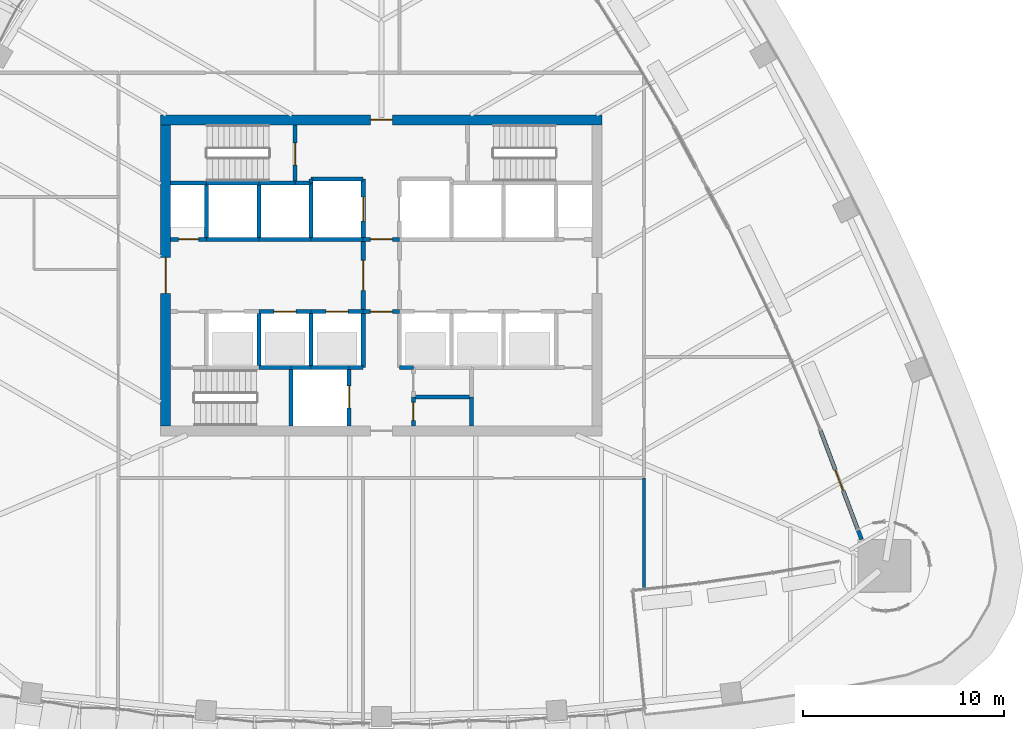
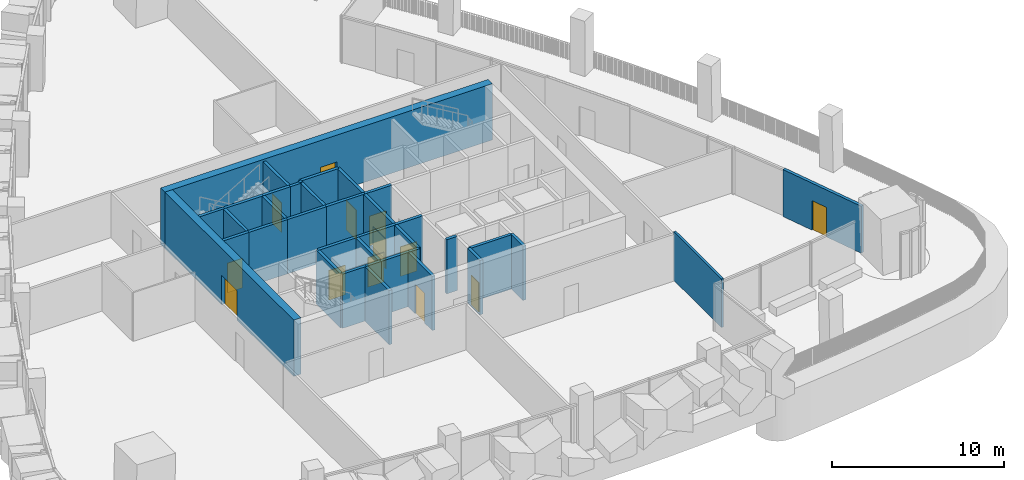
# One storey, part 13 of 20: 37 walls, 13 doors, 13 openings.
"""IFC4 building model written with IfcOpenShell, lengths in metres."""

from ifc_helpers import new_model, si_unit, direction, frame, frame_2d, origin, place, context, subcontext, project, spatial, rectangle, extrude, material, layer, layer_set, type_object, element, fill, save


model = new_model("IFC4")

# Units and contexts
model_context = context("Model", 3, precision=1e-05, world=origin(), true_north=direction((0.0, 1.0)))
body_context = subcontext(model_context, "Body", "Model", "MODEL_VIEW")
ifc_project = project(units=[si_unit("LENGTHUNIT", "METRE"), si_unit("AREAUNIT", "SQUARE_METRE"), si_unit("VOLUMEUNIT", "CUBIC_METRE"), si_unit("PLANEANGLEUNIT", "RADIAN"), si_unit("MASSUNIT", "GRAM", prefix="KILO")], contexts=[model_context])

# Site, building, storey
site_placement = place(None, origin())
site = spatial("IfcSite", under=ifc_project, at=site_placement, CompositionType="ELEMENT")
building_placement = place(site_placement, origin())
building = spatial("IfcBuilding", under=site, at=building_placement, Name="Sierra Prisma Convention Tower", CompositionType="ELEMENT")
storey_placement = place(building_placement, frame((0.0, 0.0, 125.800048828125)))
storey = spatial("IfcBuildingStorey", under=building, at=storey_placement, Name="L26", CompositionType="ELEMENT", Elevation=125.800048828125)

# Wall, opening, door
ifc_material_1 = material(Name="Concrete C30/37", Category="concrete")
ifc_layer_1 = layer(ifc_material_1, 0.199951171875)
ifc_layer_set_1 = layer_set([ifc_layer_1], Name="Core wall RC 200 C30/37")
wall_type_1 = type_object("IfcWallType", Name="Core wall RC 200 C30/37", PredefinedType="SOLIDWALL", material=ifc_layer_set_1)
wall_1_placement = place(storey_placement, frame((-8.699951171875, 1.800048828125, 0.0), z_axis=(0.0, 0.0, 1.0), x_axis=(-1.0, 0.0, 0.0)))
wall_1 = element("IfcWall", 1, at=wall_1_placement, inside=storey, type_object=wall_type_1, Name="Core wall L26 3", PredefinedType="SOLIDWALL", context=body_context, shape_type="SweptSolid", body=[
    extrude(rectangle(XDim=1.800048828125, YDim=0.199951171875, at=frame_2d((0.89990234375, 0.0))), origin(), (0.0, 0.0, 1.0), 3.849853515625),
])
opening_1_placement = place(wall_1_placement, frame((0.39990234375, 0.0, 0.0)))
opening_1 = element("IfcOpeningElement", 2, at=opening_1_placement, cuts=wall_1, Name="Opening L26-D018", PredefinedType="OPENING", context=body_context, shape_type="SweptSolid", body=[
    extrude(rectangle(XDim=1.0, YDim=2.10009765625, at=frame_2d((0.5, 1.050048828125))), frame((0.0, 0.10009765625, 0.0), z_axis=(0.0, -1.0, 0.0), x_axis=(1.0, 0.0, 0.0)), (0.0, 0.0, 1.0), 0.199951171875),
])
ifc_material_2 = material(Name="Steel fire door leaf", Category="steel")
door_type_1 = type_object("IfcDoorType", Name="Door 1000x2100 FD60S", OperationType="SINGLE_SWING_LEFT", PredefinedType="DOOR", material=ifc_material_2)
door_1_placement = place(opening_1_placement, origin())
door_1 = element("IfcDoor", 3, at=door_1_placement, inside=storey, type_object=door_type_1, Name="Door L26 25", OperationType="SINGLE_SWING_RIGHT", OverallHeight=2.10009765625, OverallWidth=1.0, PredefinedType="DOOR", context=body_context, shape_type="SweptSolid", body=[
    extrude(rectangle(XDim=1.0, YDim=2.10009765625, at=frame_2d((0.5, 1.050048828125))), frame((0.0, 0.02490234375, 0.0), z_axis=(0.0, -1.0, 0.0), x_axis=(1.0, 0.0, 0.0)), (0.0, 0.0, 1.0), 0.050048828125),
])
fill(opening_1, door_1)

# Walls
wall_2_placement = place(storey_placement, frame((-8.699951171875, 4.60009765625, 0.0), z_axis=(0.0, 0.0, 1.0), x_axis=(-1.0, 0.0, 0.0)))
element("IfcWall", 4, at=wall_2_placement, inside=storey, type_object=wall_type_1, Name="Core wall L26 4", PredefinedType="SOLIDWALL", context=body_context, shape_type="SweptSolid", body=[
    extrude(rectangle(XDim=1.800048828125, YDim=0.199951171875, at=frame_2d((0.89990234375, 0.0))), origin(), (0.0, 0.0, 1.0), 3.849853515625),
])
wall_3_placement = place(storey_placement, frame((-6.10009765625, 1.800048828125, 0.0), z_axis=(0.0, 0.0, 1.0), x_axis=(-1.0, 0.0, 0.0)))
element("IfcWall", 5, at=wall_3_placement, inside=storey, type_object=wall_type_1, Name="Core wall L26 8", PredefinedType="SOLIDWALL", context=body_context, shape_type="SweptSolid", body=[
    extrude(rectangle(XDim=2.599853515625, YDim=0.199951171875, at=frame_2d((1.2998046875, 0.0))), origin(), (0.0, 0.0, 1.0), 3.849853515625),
])
wall_4_placement = place(storey_placement, frame((-8.699951171875, 1.800048828125, 0.0), z_axis=(0.0, 0.0, 1.0), x_axis=(0.0, 1.0, 0.0)))
element("IfcWall", 6, at=wall_4_placement, inside=storey, type_object=wall_type_1, Name="Core wall L26 9", PredefinedType="SOLIDWALL", context=body_context, shape_type="SweptSolid", body=[
    extrude(rectangle(XDim=2.800048828125, YDim=0.199951171875, at=frame_2d((1.39990234375, 0.0))), origin(), (0.0, 0.0, 1.0), 3.849853515625),
])
wall_5_placement = place(storey_placement, frame((-6.10009765625, 4.60009765625, 0.0), z_axis=(0.0, 0.0, 1.0), x_axis=(-1.0, 0.0, 0.0)))
element("IfcWall", 7, at=wall_5_placement, inside=storey, type_object=wall_type_1, Name="Core wall L26 10", PredefinedType="SOLIDWALL", context=body_context, shape_type="SweptSolid", body=[
    extrude(rectangle(XDim=2.599853515625, YDim=0.199951171875, at=frame_2d((1.2998046875, 0.0))), origin(), (0.0, 0.0, 1.0), 3.849853515625),
])
wall_6_placement = place(storey_placement, frame((-6.10009765625, -4.60009765625, 0.0), z_axis=(0.0, 0.0, 1.0), x_axis=(1.0, 0.0, 0.0)))
element("IfcWall", 8, at=wall_6_placement, inside=storey, type_object=wall_type_1, Name="Core wall L26 11", PredefinedType="SOLIDWALL", context=body_context, shape_type="SweptSolid", body=[
    extrude(rectangle(XDim=1.60009765625, YDim=0.199951171875, at=frame_2d((0.800048828125, 0.0))), origin(), (0.0, 0.0, 1.0), 3.849853515625),
])
wall_7_placement = place(storey_placement, frame((-6.10009765625, -4.60009765625, 0.0), z_axis=(0.0, 0.0, 1.0), x_axis=(0.0, 1.0, 0.0)))
element("IfcWall", 9, at=wall_7_placement, inside=storey, type_object=wall_type_1, Name="Core wall L26 12", PredefinedType="SOLIDWALL", context=body_context, shape_type="SweptSolid", body=[
    extrude(rectangle(XDim=2.800048828125, YDim=0.199951171875, at=frame_2d((1.39990234375, 0.0))), origin(), (0.0, 0.0, 1.0), 3.849853515625),
])

# Wall, opening, door
wall_8_placement = place(storey_placement, frame((-6.10009765625, -1.800048828125, 0.0), z_axis=(0.0, 0.0, 1.0), x_axis=(1.0, 0.0, 0.0)))
wall_8 = element("IfcWall", 10, at=wall_8_placement, inside=storey, type_object=wall_type_1, Name="Core wall L26 13", PredefinedType="SOLIDWALL", context=body_context, shape_type="SweptSolid", body=[
    extrude(rectangle(XDim=2.60009765625, YDim=0.199951171875, at=frame_2d((1.300048828125, 0.0))), origin(), (0.0, 0.0, 1.0), 3.849853515625),
])
opening_2_placement = place(wall_8_placement, frame((0.75, 0.0, 0.0)))
opening_2 = element("IfcOpeningElement", 11, at=opening_2_placement, cuts=wall_8, Name="Opening L26-D005", PredefinedType="OPENING", context=body_context, shape_type="SweptSolid", body=[
    extrude(rectangle(XDim=1.10009765625, YDim=2.10009765625, at=frame_2d((0.550048828125, 1.050048828125))), frame((0.0, 0.10009765625, 0.0), z_axis=(0.0, -1.0, 0.0), x_axis=(1.0, 0.0, 0.0)), (0.0, 0.0, 1.0), 0.199951171875),
])
ifc_material_3 = material(Name="Steel fire door leaf", Category="steel")
door_type_2 = type_object("IfcDoorType", Name="Door 1100x2100 EI 90 sliding lift landing", OperationType="SLIDING_TO_LEFT", PredefinedType="DOOR", material=ifc_material_3)
door_2_placement = place(opening_2_placement, origin())
door_2 = element("IfcDoor", 12, at=door_2_placement, inside=storey, type_object=door_type_2, Name="Door L26 12", OperationType="SLIDING_TO_RIGHT", OverallHeight=2.10009765625, OverallWidth=1.10009765625, PredefinedType="DOOR", context=body_context, shape_type="SweptSolid", body=[
    extrude(rectangle(XDim=1.10009765625, YDim=2.10009765625, at=frame_2d((0.550048828125, 1.050048828125))), frame((0.0, 0.02490234375, 0.0), z_axis=(0.0, -1.0, 0.0), x_axis=(1.0, 0.0, 0.0)), (0.0, 0.0, 1.0), 0.050048828125),
])
fill(opening_2, door_2)

# Walls
wall_9_placement = place(storey_placement, frame((-3.5, 1.800048828125, 0.0), z_axis=(0.0, 0.0, 1.0), x_axis=(-1.0, 0.0, 0.0)))
element("IfcWall", 13, at=wall_9_placement, inside=storey, type_object=wall_type_1, Name="Core wall L26 14", PredefinedType="SOLIDWALL", context=body_context, shape_type="SweptSolid", body=[
    extrude(rectangle(XDim=2.60009765625, YDim=0.199951171875, at=frame_2d((1.300048828125, 0.0))), origin(), (0.0, 0.0, 1.0), 3.849853515625),
])
wall_10_placement = place(storey_placement, frame((-6.10009765625, 1.800048828125, 0.0), z_axis=(0.0, 0.0, 1.0), x_axis=(0.0, 1.0, 0.0)))
element("IfcWall", 14, at=wall_10_placement, inside=storey, type_object=wall_type_1, Name="Core wall L26 15", PredefinedType="SOLIDWALL", context=body_context, shape_type="SweptSolid", body=[
    extrude(rectangle(XDim=2.800048828125, YDim=0.199951171875, at=frame_2d((1.39990234375, 0.0))), origin(), (0.0, 0.0, 1.0), 3.849853515625),
])
wall_11_placement = place(storey_placement, frame((-4.300048828125, 4.60009765625, 0.0), z_axis=(0.0, 0.0, 1.0), x_axis=(-1.0, 0.0, 0.0)))
element("IfcWall", 15, at=wall_11_placement, inside=storey, type_object=wall_type_1, Name="Core wall L26 16", PredefinedType="SOLIDWALL", context=body_context, shape_type="SweptSolid", body=[
    extrude(rectangle(XDim=1.800048828125, YDim=0.199951171875, at=frame_2d((0.89990234375, 0.0))), origin(), (0.0, 0.0, 1.0), 3.849853515625),
])
wall_12_placement = place(storey_placement, frame((-4.5, -4.60009765625, 0.0), z_axis=(0.0, 0.0, 1.0), x_axis=(0.0, -1.0, 0.0)))
element("IfcWall", 16, at=wall_12_placement, inside=storey, type_object=wall_type_1, Name="Core wall L26 17", PredefinedType="SOLIDWALL", context=body_context, shape_type="SweptSolid", body=[
    extrude(rectangle(XDim=2.89990234375, YDim=0.199951171875, at=frame_2d((1.449951171875, 0.0))), origin(), (0.0, 0.0, 1.0), 3.849853515625),
])
wall_13_placement = place(storey_placement, frame((-4.5, -4.60009765625, 0.0), z_axis=(0.0, 0.0, 1.0), x_axis=(1.0, 0.0, 0.0)))
element("IfcWall", 17, at=wall_13_placement, inside=storey, type_object=wall_type_1, Name="Core wall L26 18", PredefinedType="SOLIDWALL", context=body_context, shape_type="SweptSolid", body=[
    extrude(rectangle(XDim=1.0, YDim=0.199951171875, at=frame_2d((0.5, 0.0))), origin(), (0.0, 0.0, 1.0), 3.849853515625),
])
wall_14_placement = place(storey_placement, frame((-3.5, 4.60009765625, 0.0), z_axis=(0.0, 0.0, 1.0), x_axis=(-1.0, 0.0, 0.0)))
element("IfcWall", 18, at=wall_14_placement, inside=storey, type_object=wall_type_1, Name="Core wall L26 19", PredefinedType="SOLIDWALL", context=body_context, shape_type="SweptSolid", body=[
    extrude(rectangle(XDim=0.800048828125, YDim=0.199951171875, at=frame_2d((0.39990234375, 0.0))), origin(), (0.0, 0.0, 1.0), 3.849853515625),
])

# Wall, opening, door
wall_15_placement = place(storey_placement, frame((-4.300048828125, 4.60009765625, 0.0), z_axis=(0.0, 0.0, 1.0), x_axis=(0.0, 1.0, 0.0)))
wall_15 = element("IfcWall", 19, at=wall_15_placement, inside=storey, type_object=wall_type_1, Name="Core wall L26 20", PredefinedType="SOLIDWALL", context=body_context, shape_type="SweptSolid", body=[
    extrude(rectangle(XDim=2.89990234375, YDim=0.199951171875, at=frame_2d((1.449951171875, 0.0))), origin(), (0.0, 0.0, 1.0), 3.849853515625),
])
opening_3_placement = place(wall_15_placement, frame((0.89990234375, 0.0, 0.0)))
opening_3 = element("IfcOpeningElement", 20, at=opening_3_placement, cuts=wall_15, Name="Opening L26-D021", PredefinedType="OPENING", context=body_context, shape_type="SweptSolid", body=[
    extrude(rectangle(XDim=1.10009765625, YDim=2.10009765625, at=frame_2d((0.550048828125, 1.050048828125))), frame((0.0, 0.10009765625, 0.0), z_axis=(0.0, -1.0, 0.0), x_axis=(1.0, 0.0, 0.0)), (0.0, 0.0, 1.0), 0.199951171875),
])
ifc_material_4 = material(Name="Steel fire door leaf", Category="steel")
door_type_3 = type_object("IfcDoorType", Name="Door 1100x2100 FD90S", OperationType="SINGLE_SWING_LEFT", PredefinedType="DOOR", material=ifc_material_4)
door_3_placement = place(opening_3_placement, origin())
door_3 = element("IfcDoor", 21, at=door_3_placement, inside=storey, type_object=door_type_3, Name="Door L26 28", OperationType="SINGLE_SWING_LEFT", OverallHeight=2.10009765625, OverallWidth=1.10009765625, PredefinedType="DOOR", context=body_context, shape_type="SweptSolid", body=[
    extrude(rectangle(XDim=1.10009765625, YDim=2.10009765625, at=frame_2d((0.550048828125, 1.050048828125))), frame((0.0, 0.02490234375, 0.0), z_axis=(0.0, -1.0, 0.0), x_axis=(1.0, 0.0, 0.0)), (0.0, 0.0, 1.0), 0.050048828125),
])
fill(opening_3, door_3)

# Walls
wall_16_placement = place(storey_placement, frame((-3.5, -4.60009765625, 0.0), z_axis=(0.0, 0.0, 1.0), x_axis=(1.0, 0.0, 0.0)))
element("IfcWall", 22, at=wall_16_placement, inside=storey, type_object=wall_type_1, Name="Core wall L26 21", PredefinedType="SOLIDWALL", context=body_context, shape_type="SweptSolid", body=[
    extrude(rectangle(XDim=1.89990234375, YDim=0.199951171875, at=frame_2d((0.949951171875, 0.0))), origin(), (0.0, 0.0, 1.0), 3.849853515625),
])
wall_17_placement = place(storey_placement, frame((-3.5, -4.60009765625, 0.0), z_axis=(0.0, 0.0, 1.0), x_axis=(0.0, 1.0, 0.0)))
element("IfcWall", 23, at=wall_17_placement, inside=storey, type_object=wall_type_1, Name="Core wall L26 22", PredefinedType="SOLIDWALL", context=body_context, shape_type="SweptSolid", body=[
    extrude(rectangle(XDim=2.800048828125, YDim=0.199951171875, at=frame_2d((1.39990234375, 0.0))), origin(), (0.0, 0.0, 1.0), 3.849853515625),
])

# Wall, opening, door
wall_18_placement = place(storey_placement, frame((-3.5, -1.800048828125, 0.0), z_axis=(0.0, 0.0, 1.0), x_axis=(1.0, 0.0, 0.0)))
wall_18 = element("IfcWall", 24, at=wall_18_placement, inside=storey, type_object=wall_type_1, Name="Core wall L26 23", PredefinedType="SOLIDWALL", context=body_context, shape_type="SweptSolid", body=[
    extrude(rectangle(XDim=2.60009765625, YDim=0.199951171875, at=frame_2d((1.300048828125, 0.0))), origin(), (0.0, 0.0, 1.0), 3.849853515625),
])
opening_4_placement = place(wall_18_placement, frame((0.75, 0.0, 0.0)))
opening_4 = element("IfcOpeningElement", 25, at=opening_4_placement, cuts=wall_18, Name="Opening L26-D006", PredefinedType="OPENING", context=body_context, shape_type="SweptSolid", body=[
    extrude(rectangle(XDim=1.10009765625, YDim=2.10009765625, at=frame_2d((0.550048828125, 1.050048828125))), frame((0.0, 0.10009765625, 0.0), z_axis=(0.0, -1.0, 0.0), x_axis=(1.0, 0.0, 0.0)), (0.0, 0.0, 1.0), 0.199951171875),
])
door_4_placement = place(opening_4_placement, origin())
door_4 = element("IfcDoor", 26, at=door_4_placement, inside=storey, type_object=door_type_2, Name="Door L26 13", OperationType="SLIDING_TO_RIGHT", OverallHeight=2.10009765625, OverallWidth=1.10009765625, PredefinedType="DOOR", context=body_context, shape_type="SweptSolid", body=[
    extrude(rectangle(XDim=1.10009765625, YDim=2.10009765625, at=frame_2d((0.550048828125, 1.050048828125))), frame((0.0, 0.02490234375, 0.0), z_axis=(0.0, -1.0, 0.0), x_axis=(1.0, 0.0, 0.0)), (0.0, 0.0, 1.0), 0.050048828125),
])
fill(opening_4, door_4)

# Walls
wall_19_placement = place(storey_placement, frame((-0.89990234375, 1.800048828125, 0.0), z_axis=(0.0, 0.0, 1.0), x_axis=(-1.0, 0.0, 0.0)))
element("IfcWall", 27, at=wall_19_placement, inside=storey, type_object=wall_type_1, Name="Core wall L26 24", PredefinedType="SOLIDWALL", context=body_context, shape_type="SweptSolid", body=[
    extrude(rectangle(XDim=2.60009765625, YDim=0.199951171875, at=frame_2d((1.300048828125, 0.0))), origin(), (0.0, 0.0, 1.0), 3.849853515625),
])
wall_20_placement = place(storey_placement, frame((-3.5, 4.60009765625, 0.0), z_axis=(0.0, 0.0, 1.0), x_axis=(0.0, -1.0, 0.0)))
element("IfcWall", 28, at=wall_20_placement, inside=storey, type_object=wall_type_1, Name="Core wall L26 25", PredefinedType="SOLIDWALL", context=body_context, shape_type="SweptSolid", body=[
    extrude(rectangle(XDim=2.800048828125, YDim=0.199951171875, at=frame_2d((1.39990234375, 0.0))), origin(), (0.0, 0.0, 1.0), 3.849853515625),
])

# Wall, opening, door
wall_21_placement = place(storey_placement, frame((-0.89990234375, 1.800048828125, 0.0), z_axis=(0.0, 0.0, 1.0), x_axis=(0.0, 1.0, 0.0)))
wall_21 = element("IfcWall", 29, at=wall_21_placement, inside=storey, type_object=wall_type_1, Name="Core wall L26 26", PredefinedType="SOLIDWALL", context=body_context, shape_type="SweptSolid", body=[
    extrude(rectangle(XDim=3.0, YDim=0.199951171875, at=frame_2d((1.5, 0.0))), origin(), (0.0, 0.0, 1.0), 3.849853515625),
])
opening_5_placement = place(wall_21_placement, frame((0.89990234375, 0.0, 0.0)))
opening_5 = element("IfcOpeningElement", 30, at=opening_5_placement, cuts=wall_21, Name="Opening L26-D010", PredefinedType="OPENING", context=body_context, shape_type="SweptSolid", body=[
    extrude(rectangle(XDim=1.199951171875, YDim=2.10009765625, at=frame_2d((0.60009765625, 1.050048828125))), frame((0.0, 0.10009765625, 0.0), z_axis=(0.0, -1.0, 0.0), x_axis=(1.0, 0.0, 0.0)), (0.0, 0.0, 1.0), 0.199951171875),
])
ifc_material_5 = material(Name="Steel fire door leaf", Category="steel")
door_type_4 = type_object("IfcDoorType", Name="Door 1200x2100 EI 90 sliding lift landing", OperationType="SLIDING_TO_LEFT", PredefinedType="DOOR", material=ifc_material_5)
door_5_placement = place(opening_5_placement, origin())
door_5 = element("IfcDoor", 31, at=door_5_placement, inside=storey, type_object=door_type_4, Name="Door L26 17", OperationType="SLIDING_TO_RIGHT", OverallHeight=2.10009765625, OverallWidth=1.199951171875, PredefinedType="DOOR", context=body_context, shape_type="SweptSolid", body=[
    extrude(rectangle(XDim=1.199951171875, YDim=2.10009765625, at=frame_2d((0.60009765625, 1.050048828125))), frame((0.0, 0.02490234375, 0.0), z_axis=(0.0, -1.0, 0.0), x_axis=(1.0, 0.0, 0.0)), (0.0, 0.0, 1.0), 0.050048828125),
])
fill(opening_5, door_5)

# Walls
wall_22_placement = place(storey_placement, frame((-0.89990234375, 4.800048828125, 0.0), z_axis=(0.0, 0.0, 1.0), x_axis=(-1.0, 0.0, 0.0)))
element("IfcWall", 32, at=wall_22_placement, inside=storey, type_object=wall_type_1, Name="Core wall L26 27", PredefinedType="SOLIDWALL", context=body_context, shape_type="SweptSolid", body=[
    extrude(rectangle(XDim=2.60009765625, YDim=0.199951171875, at=frame_2d((1.300048828125, 0.0))), origin(), (0.0, 0.0, 1.0), 3.849853515625),
])
wall_23_placement = place(storey_placement, frame((-3.5, 4.800048828125, 0.0), z_axis=(0.0, 0.0, 1.0), x_axis=(0.0, -1.0, 0.0)))
element("IfcWall", 33, at=wall_23_placement, inside=storey, type_object=wall_type_1, Name="Core wall L26 28", PredefinedType="SOLIDWALL", context=body_context, shape_type="SweptSolid", body=[
    extrude(rectangle(XDim=0.199951171875, YDim=0.199951171875, at=frame_2d((0.10009765625, 0.0))), origin(), (0.0, 0.0, 1.0), 3.849853515625),
])

# Wall, opening, door
wall_24_placement = place(storey_placement, frame((-1.60009765625, -7.5, 0.0), z_axis=(0.0, 0.0, 1.0), x_axis=(0.0, 1.0, 0.0)))
wall_24 = element("IfcWall", 34, at=wall_24_placement, inside=storey, type_object=wall_type_1, Name="Core wall L26 29", PredefinedType="SOLIDWALL", context=body_context, shape_type="SweptSolid", body=[
    extrude(rectangle(XDim=2.89990234375, YDim=0.199951171875, at=frame_2d((1.449951171875, 0.0))), origin(), (0.0, 0.0, 1.0), 3.849853515625),
])
opening_6_placement = place(wall_24_placement, frame((0.89990234375, 0.0, 0.0)))
opening_6 = element("IfcOpeningElement", 35, at=opening_6_placement, cuts=wall_24, Name="Opening L26-D012", PredefinedType="OPENING", context=body_context, shape_type="SweptSolid", body=[
    extrude(rectangle(XDim=1.10009765625, YDim=2.10009765625, at=frame_2d((0.550048828125, 1.050048828125))), frame((0.0, 0.10009765625, 0.0), z_axis=(0.0, -1.0, 0.0), x_axis=(1.0, 0.0, 0.0)), (0.0, 0.0, 1.0), 0.199951171875),
])
door_6_placement = place(opening_6_placement, origin())
door_6 = element("IfcDoor", 36, at=door_6_placement, inside=storey, type_object=door_type_2, Name="Door L26 19", OperationType="SLIDING_TO_RIGHT", OverallHeight=2.10009765625, OverallWidth=1.10009765625, PredefinedType="DOOR", context=body_context, shape_type="SweptSolid", body=[
    extrude(rectangle(XDim=1.10009765625, YDim=2.10009765625, at=frame_2d((0.550048828125, 1.050048828125))), frame((0.0, 0.02490234375, 0.0), z_axis=(0.0, -1.0, 0.0), x_axis=(1.0, 0.0, 0.0)), (0.0, 0.0, 1.0), 0.050048828125),
])
fill(opening_6, door_6)

# Walls
wall_25_placement = place(storey_placement, frame((-1.60009765625, -4.60009765625, 0.0), z_axis=(0.0, 0.0, 1.0), x_axis=(1.0, 0.0, 0.0)))
element("IfcWall", 37, at=wall_25_placement, inside=storey, type_object=wall_type_1, Name="Core wall L26 30", PredefinedType="SOLIDWALL", context=body_context, shape_type="SweptSolid", body=[
    extrude(rectangle(XDim=0.7001953125, YDim=0.199951171875, at=frame_2d((0.35009765625, 0.0))), origin(), (0.0, 0.0, 1.0), 3.849853515625),
])
wall_26_placement = place(storey_placement, frame((-0.89990234375, -4.60009765625, 0.0), z_axis=(0.0, 0.0, 1.0), x_axis=(0.0, 1.0, 0.0)))
element("IfcWall", 38, at=wall_26_placement, inside=storey, type_object=wall_type_1, Name="Core wall L26 31", PredefinedType="SOLIDWALL", context=body_context, shape_type="SweptSolid", body=[
    extrude(rectangle(XDim=2.800048828125, YDim=0.199951171875, at=frame_2d((1.39990234375, 0.0))), origin(), (0.0, 0.0, 1.0), 3.849853515625),
])

# Wall, opening, door
wall_27_placement = place(storey_placement, frame((-0.89990234375, -1.800048828125, 0.0), z_axis=(0.0, 0.0, 1.0), x_axis=(1.0, 0.0, 0.0)))
wall_27 = element("IfcWall", 39, at=wall_27_placement, inside=storey, type_object=wall_type_1, Name="Core wall L26 32", PredefinedType="SOLIDWALL", context=body_context, shape_type="SweptSolid", body=[
    extrude(rectangle(XDim=1.7998046875, YDim=0.199951171875, at=frame_2d((0.89990234375, 0.0))), origin(), (0.0, 0.0, 1.0), 3.849853515625),
])
opening_7_placement = place(wall_27_placement, frame((0.35009765625, 0.0, 0.0)))
opening_7 = element("IfcOpeningElement", 40, at=opening_7_placement, cuts=wall_27, Name="Opening L26-D017", PredefinedType="OPENING", context=body_context, shape_type="SweptSolid", body=[
    extrude(rectangle(XDim=1.10009765625, YDim=2.10009765625, at=frame_2d((0.550048828125, 1.050048828125))), frame((0.0, 0.10009765625, 0.0), z_axis=(0.0, -1.0, 0.0), x_axis=(1.0, 0.0, 0.0)), (0.0, 0.0, 1.0), 0.199951171875),
])
ifc_material_6 = material(Name="Steel fire door leaf", Category="steel")
door_type_5 = type_object("IfcDoorType", Name="Door 1100x2100 FD30S", OperationType="SINGLE_SWING_LEFT", PredefinedType="DOOR", material=ifc_material_6)
door_7_placement = place(opening_7_placement, origin())
door_7 = element("IfcDoor", 41, at=door_7_placement, inside=storey, type_object=door_type_5, Name="Door L26 24", OperationType="SINGLE_SWING_LEFT", OverallHeight=2.10009765625, OverallWidth=1.10009765625, PredefinedType="DOOR", context=body_context, shape_type="SweptSolid", body=[
    extrude(rectangle(XDim=1.10009765625, YDim=2.10009765625, at=frame_2d((0.550048828125, 1.050048828125))), frame((0.0, 0.02490234375, 0.0), z_axis=(0.0, -1.0, 0.0), x_axis=(1.0, 0.0, 0.0)), (0.0, 0.0, 1.0), 0.050048828125),
])
fill(opening_7, door_7)

wall_28_placement = place(storey_placement, frame((-0.89990234375, 1.800048828125, 0.0), z_axis=(0.0, 0.0, 1.0), x_axis=(0.0, -1.0, 0.0)))
wall_28 = element("IfcWall", 42, at=wall_28_placement, inside=storey, type_object=wall_type_1, Name="Core wall L26 33", PredefinedType="SOLIDWALL", context=body_context, shape_type="SweptSolid", body=[
    extrude(rectangle(XDim=3.60009765625, YDim=0.199951171875, at=frame_2d((1.800048828125, 0.0))), origin(), (0.0, 0.0, 1.0), 3.849853515625),
])
opening_8_placement = place(wall_28_placement, frame((1.050048828125, 0.0, 0.0)))
opening_8 = element("IfcOpeningElement", 43, at=opening_8_placement, cuts=wall_28, Name="Opening L26-D013", PredefinedType="OPENING", context=body_context, shape_type="SweptSolid", body=[
    extrude(rectangle(XDim=1.5, YDim=2.10009765625, at=frame_2d((0.75, 1.050048828125))), frame((0.0, 0.10009765625, 0.0), z_axis=(0.0, -1.0, 0.0), x_axis=(1.0, 0.0, 0.0)), (0.0, 0.0, 1.0), 0.199951171875),
])
ifc_material_7 = material(Name="Steel fire door leaf", Category="steel")
door_type_6 = type_object("IfcDoorType", Name="Door 1500x2100 FD30S", OperationType="DOUBLE_DOOR_SINGLE_SWING", PredefinedType="DOOR", material=ifc_material_7)
door_8_placement = place(opening_8_placement, origin())
door_8 = element("IfcDoor", 44, at=door_8_placement, inside=storey, type_object=door_type_6, Name="Door L26 20", OperationType="DOUBLE_DOOR_SINGLE_SWING", OverallHeight=2.10009765625, OverallWidth=1.5, PredefinedType="DOOR", context=body_context, shape_type="SweptSolid", body=[
    extrude(rectangle(XDim=1.5, YDim=2.10009765625, at=frame_2d((0.75, 1.050048828125))), frame((0.0, 0.02490234375, 0.0), z_axis=(0.0, -1.0, 0.0), x_axis=(1.0, 0.0, 0.0)), (0.0, 0.0, 1.0), 0.050048828125),
])
fill(opening_8, door_8)

wall_29_placement = place(storey_placement, frame((0.89990234375, 1.800048828125, 0.0), z_axis=(0.0, 0.0, 1.0), x_axis=(-1.0, 0.0, 0.0)))
wall_29 = element("IfcWall", 45, at=wall_29_placement, inside=storey, type_object=wall_type_1, Name="Core wall L26 34", PredefinedType="SOLIDWALL", context=body_context, shape_type="SweptSolid", body=[
    extrude(rectangle(XDim=1.7998046875, YDim=0.199951171875, at=frame_2d((0.89990234375, 0.0))), origin(), (0.0, 0.0, 1.0), 3.849853515625),
])
opening_9_placement = place(wall_29_placement, frame((0.35009765625, 0.0, 0.0)))
opening_9 = element("IfcOpeningElement", 46, at=opening_9_placement, cuts=wall_29, Name="Opening L26-D016", PredefinedType="OPENING", context=body_context, shape_type="SweptSolid", body=[
    extrude(rectangle(XDim=1.10009765625, YDim=2.10009765625, at=frame_2d((0.550048828125, 1.050048828125))), frame((0.0, 0.10009765625, 0.0), z_axis=(0.0, -1.0, 0.0), x_axis=(1.0, 0.0, 0.0)), (0.0, 0.0, 1.0), 0.199951171875),
])
ifc_material_8 = material(Name="Steel fire door leaf", Category="steel")
door_type_7 = type_object("IfcDoorType", Name="Door 1100x2100 FD60S", OperationType="SINGLE_SWING_LEFT", PredefinedType="DOOR", material=ifc_material_8)
door_9_placement = place(opening_9_placement, origin())
door_9 = element("IfcDoor", 47, at=door_9_placement, inside=storey, type_object=door_type_7, Name="Door L26 23", OperationType="SINGLE_SWING_LEFT", OverallHeight=2.10009765625, OverallWidth=1.10009765625, PredefinedType="DOOR", context=body_context, shape_type="SweptSolid", body=[
    extrude(rectangle(XDim=1.10009765625, YDim=2.10009765625, at=frame_2d((0.550048828125, 1.050048828125))), frame((0.0, 0.02490234375, 0.0), z_axis=(0.0, -1.0, 0.0), x_axis=(1.0, 0.0, 0.0)), (0.0, 0.0, 1.0), 0.050048828125),
])
fill(opening_9, door_9)

# Wall
wall_30_placement = place(storey_placement, frame((0.89990234375, -4.60009765625, 0.0), z_axis=(0.0, 0.0, 1.0), x_axis=(1.0, 0.0, 0.0)))
element("IfcWall", 48, at=wall_30_placement, inside=storey, type_object=wall_type_1, Name="Core wall L26 38", PredefinedType="SOLIDWALL", context=body_context, shape_type="SweptSolid", body=[
    extrude(rectangle(XDim=0.7001953125, YDim=0.199951171875, at=frame_2d((0.35009765625, 0.0))), origin(), (0.0, 0.0, 1.0), 3.849853515625),
])

# Wall, opening, door
wall_31_placement = place(storey_placement, frame((1.60009765625, -6.050048828125, 0.0), z_axis=(0.0, 0.0, 1.0), x_axis=(0.0, -1.0, 0.0)))
wall_31 = element("IfcWall", 49, at=wall_31_placement, inside=storey, type_object=wall_type_1, Name="Core wall L26 43", PredefinedType="SOLIDWALL", context=body_context, shape_type="SweptSolid", body=[
    extrude(rectangle(XDim=1.449951171875, YDim=0.199951171875, at=frame_2d((0.72509765625, 0.0))), origin(), (0.0, 0.0, 1.0), 3.849853515625),
])
opening_10_placement = place(wall_31_placement, frame((0.27490234375, 0.0, 0.0)))
opening_10 = element("IfcOpeningElement", 50, at=opening_10_placement, cuts=wall_31, Name="Opening L26-D025", PredefinedType="OPENING", context=body_context, shape_type="SweptSolid", body=[
    extrude(rectangle(XDim=0.89990234375, YDim=2.10009765625, at=frame_2d((0.449951171875, 1.050048828125))), frame((0.0, 0.10009765625, 0.0), z_axis=(0.0, -1.0, 0.0), x_axis=(1.0, 0.0, 0.0)), (0.0, 0.0, 1.0), 0.199951171875),
])
ifc_material_9 = material(Name="Steel fire door leaf", Category="steel")
door_type_8 = type_object("IfcDoorType", Name="Door 900x2100 FD30S", OperationType="SINGLE_SWING_LEFT", PredefinedType="DOOR", material=ifc_material_9)
door_10_placement = place(opening_10_placement, origin())
door_10 = element("IfcDoor", 51, at=door_10_placement, inside=storey, type_object=door_type_8, Name="Door L26 32", OperationType="SINGLE_SWING_RIGHT", OverallHeight=2.10009765625, OverallWidth=0.89990234375, PredefinedType="DOOR", context=body_context, shape_type="SweptSolid", body=[
    extrude(rectangle(XDim=0.89990234375, YDim=2.10009765625, at=frame_2d((0.449951171875, 1.050048828125))), frame((0.0, 0.02490234375, 0.0), z_axis=(0.0, -1.0, 0.0), x_axis=(1.0, 0.0, 0.0)), (0.0, 0.0, 1.0), 0.050048828125),
])
fill(opening_10, door_10)

# Walls
wall_32_placement = place(storey_placement, frame((4.5, -6.050048828125, 0.0), z_axis=(0.0, 0.0, 1.0), x_axis=(-1.0, 0.0, 0.0)))
element("IfcWall", 52, at=wall_32_placement, inside=storey, type_object=wall_type_1, Name="Core wall L26 44", PredefinedType="SOLIDWALL", context=body_context, shape_type="SweptSolid", body=[
    extrude(rectangle(XDim=2.89990234375, YDim=0.199951171875, at=frame_2d((1.449951171875, 0.0))), origin(), (0.0, 0.0, 1.0), 3.849853515625),
])
wall_33_placement = place(storey_placement, frame((4.5, -6.050048828125, 0.0), z_axis=(0.0, 0.0, 1.0), x_axis=(0.0, -1.0, 0.0)))
element("IfcWall", 53, at=wall_33_placement, inside=storey, type_object=wall_type_1, Name="Core wall L26 55", PredefinedType="SOLIDWALL", context=body_context, shape_type="SweptSolid", body=[
    extrude(rectangle(XDim=1.449951171875, YDim=0.199951171875, at=frame_2d((0.72509765625, 0.0))), origin(), (0.0, 0.0, 1.0), 3.849853515625),
])

# Wall, opening, door
ifc_material_10 = material(Name="Concrete C60/75", Category="concrete")
ifc_layer_2 = layer(ifc_material_10, 0.5)
ifc_layer_set_2 = layer_set([ifc_layer_2], Name="Core wall RC 500 C60/75")
wall_type_2 = type_object("IfcWallType", Name="Core wall RC 500 C60/75", PredefinedType="SHEAR", material=ifc_layer_set_2)
wall_34_placement = place(storey_placement, frame((-11.0, 7.75, 0.0), z_axis=(0.0, 0.0, 1.0), x_axis=(1.0, 0.0, 0.0)))
wall_34 = element("IfcWall", 54, at=wall_34_placement, inside=storey, type_object=wall_type_2, Name="Core wall N L26", PredefinedType="SHEAR", context=body_context, shape_type="SweptSolid", body=[
    extrude(rectangle(XDim=22.0, YDim=0.5, at=frame_2d((11.0, 0.0))), origin(), (0.0, 0.0, 1.0), 4.0),
])
opening_11_placement = place(wall_34_placement, frame((10.449951171875, 0.0, 0.0)))
opening_11 = element("IfcOpeningElement", 55, at=opening_11_placement, cuts=wall_34, Name="Opening L26-D038", PredefinedType="OPENING", context=body_context, shape_type="SweptSolid", body=[
    extrude(rectangle(XDim=1.10009765625, YDim=2.10009765625, at=frame_2d((0.550048828125, 1.050048828125))), frame((0.0, 0.25, 0.0), z_axis=(0.0, -1.0, 0.0), x_axis=(1.0, 0.0, 0.0)), (0.0, 0.0, 1.0), 0.5),
])
door_11_placement = place(opening_11_placement, origin())
door_11 = element("IfcDoor", 56, at=door_11_placement, inside=storey, type_object=door_type_7, Name="Door L26 36", OperationType="SINGLE_SWING_LEFT", OverallHeight=2.10009765625, OverallWidth=1.10009765625, PredefinedType="DOOR", context=body_context, shape_type="SweptSolid", body=[
    extrude(rectangle(XDim=1.10009765625, YDim=2.10009765625, at=frame_2d((0.550048828125, 1.050048828125))), frame((0.0, 0.02490234375, 0.0), z_axis=(0.0, -1.0, 0.0), x_axis=(1.0, 0.0, 0.0)), (0.0, 0.0, 1.0), 0.050048828125),
])
fill(opening_11, door_11)

wall_35_placement = place(storey_placement, frame((-10.75, -7.5, 0.0), z_axis=(0.0, 0.0, 1.0), x_axis=(0.0, 1.0, 0.0)))
wall_35 = element("IfcWall", 57, at=wall_35_placement, inside=storey, type_object=wall_type_2, Name="Core wall W L26", PredefinedType="SHEAR", context=body_context, shape_type="SweptSolid", body=[
    extrude(rectangle(XDim=15.0, YDim=0.5, at=frame_2d((7.5, 0.0))), origin(), (0.0, 0.0, 1.0), 4.0),
])
opening_12_placement = place(wall_35_placement, frame((6.60009765625, 0.0, 0.0)))
opening_12 = element("IfcOpeningElement", 58, at=opening_12_placement, cuts=wall_35, Name="Opening L26-D040", PredefinedType="OPENING", context=body_context, shape_type="SweptSolid", body=[
    extrude(rectangle(XDim=1.800048828125, YDim=2.10009765625, at=frame_2d((0.89990234375, 1.050048828125))), frame((0.0, 0.25, 0.0), z_axis=(0.0, -1.0, 0.0), x_axis=(1.0, 0.0, 0.0)), (0.0, 0.0, 1.0), 0.5),
])
ifc_material_11 = material(Name="Steel fire door leaf", Category="steel")
door_type_9 = type_object("IfcDoorType", Name="Door 1800x2100 FD60S", OperationType="DOUBLE_DOOR_SINGLE_SWING", PredefinedType="DOOR", material=ifc_material_11)
door_12_placement = place(opening_12_placement, origin())
door_12 = element("IfcDoor", 59, at=door_12_placement, inside=storey, type_object=door_type_9, Name="Door L26 34", OperationType="DOUBLE_DOOR_SINGLE_SWING", OverallHeight=2.10009765625, OverallWidth=1.800048828125, PredefinedType="DOOR", context=body_context, shape_type="SweptSolid", body=[
    extrude(rectangle(XDim=1.800048828125, YDim=2.10009765625, at=frame_2d((0.89990234375, 1.050048828125))), frame((0.0, 0.02490234375, 0.0), z_axis=(0.0, -1.0, 0.0), x_axis=(1.0, 0.0, 0.0)), (0.0, 0.0, 1.0), 0.050048828125),
])
fill(opening_12, door_12)

# Wall
ifc_material_12 = material(Name="Gypsum board partition", Category="gypsum")
ifc_layer_3 = layer(ifc_material_12, 0.14990234375)
ifc_layer_set_3 = layer_set([ifc_layer_3], Name="Party wall 150 gypsum")
wall_type_3 = type_object("IfcWallType", Name="Party wall 150 gypsum", PredefinedType="PARTITIONING", material=ifc_layer_set_3)
wall_36_placement = place(storey_placement, frame((13.10009765625, -10.10009765625, 0.0), z_axis=(0.0, 0.0, 1.0), x_axis=(0.0, -1.0, 0.0)))
element("IfcWall", 60, at=wall_36_placement, inside=storey, type_object=wall_type_3, Name="Partition L26 party 6", PredefinedType="PARTITIONING", context=body_context, shape_type="SweptSolid", body=[
    extrude(rectangle(XDim=5.545166015625, YDim=0.14990234375, at=frame_2d((2.7724609375, 0.0))), origin(), (0.0, 0.0, 1.0), 3.449951171875),
])

# Wall, opening, door
ifc_material_13 = material(Name="Precast concrete C40/50", Category="concrete")
ifc_layer_4 = layer(ifc_material_13, 0.199951171875)
ifc_layer_set_4 = layer_set([ifc_layer_4], Name="Terrace door pier")
wall_type_4 = type_object("IfcWallType", Name="Terrace door pier", PredefinedType="SOLIDWALL", material=ifc_layer_set_4)
wall_37_placement = place(storey_placement, frame((23.932861328125, -13.156494140625, 0.0), z_axis=(0.0, 0.0, 1.0), x_axis=(-0.353112586712, 0.935580836222, 0.0)))
wall_37 = element("IfcWall", 61, at=wall_37_placement, inside=storey, type_object=wall_type_4, Name="Terrace door bay L26.28", PredefinedType="SOLIDWALL", context=body_context, shape_type="SweptSolid", body=[
    extrude(rectangle(XDim=5.90234375, YDim=0.199951171875, at=frame_2d((2.951171875, 0.0))), origin(), (0.0, 0.0, 1.0), 3.33984375),
])
opening_13_placement = place(wall_37_placement, frame((2.60205078125, 0.0, 0.0)))
opening_13 = element("IfcOpeningElement", 62, at=opening_13_placement, cuts=wall_37, Name="Opening L26-D001", PredefinedType="OPENING", context=body_context, shape_type="SweptSolid", body=[
    extrude(rectangle(XDim=1.10009765625, YDim=2.10009765625, at=frame_2d((0.550048828125, 1.050048828125))), frame((0.0, 0.10009765625, 0.0), z_axis=(0.0, -1.0, 0.0), x_axis=(1.0, 0.0, 0.0)), (0.0, 0.0, 1.0), 0.199951171875),
])
ifc_material_14 = material(Name="Bronze anodised aluminium and glass", Category="aluminium")
door_type_10 = type_object("IfcDoorType", Name="Terrace door 1100 x 2100", OperationType="SINGLE_SWING_LEFT", PredefinedType="DOOR", material=ifc_material_14)
door_13_placement = place(opening_13_placement, origin())
door_13 = element("IfcDoor", 63, at=door_13_placement, inside=storey, type_object=door_type_10, Name="Terrace door L26.28", OperationType="SINGLE_SWING_RIGHT", OverallHeight=2.10009765625, OverallWidth=1.10009765625, PredefinedType="DOOR", context=body_context, shape_type="SweptSolid", body=[
    extrude(rectangle(XDim=1.10009765625, YDim=2.10009765625, at=frame_2d((0.550048828125, 1.050048828125))), frame((0.0, 0.02490234375, 0.0), z_axis=(0.0, -1.0, 0.0), x_axis=(1.0, 0.0, 0.0)), (0.0, 0.0, 1.0), 0.050048828125),
])
fill(opening_13, door_13)

save(model, "model.ifc")
